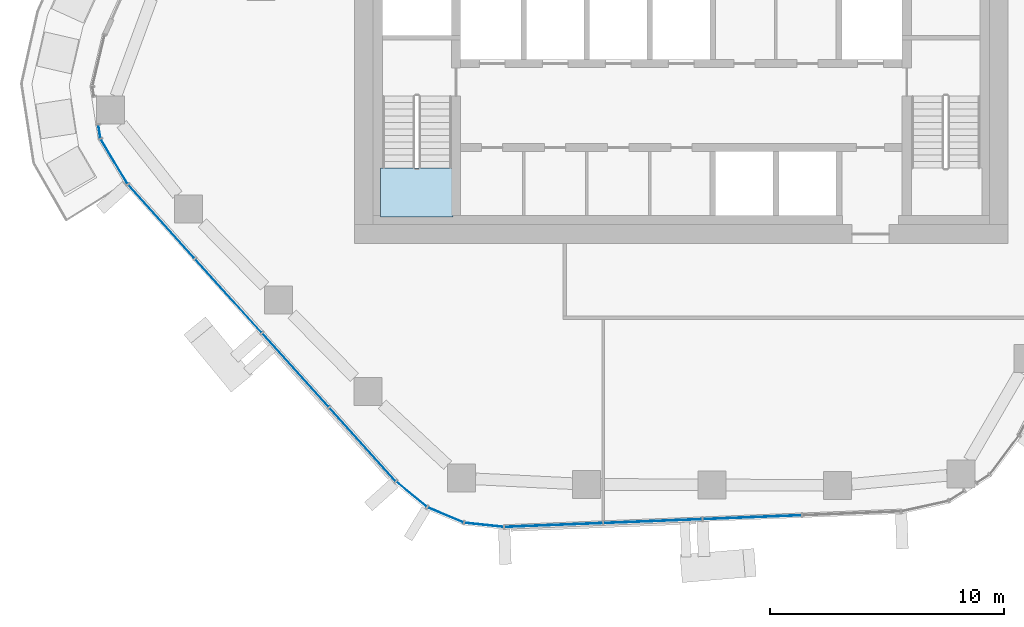
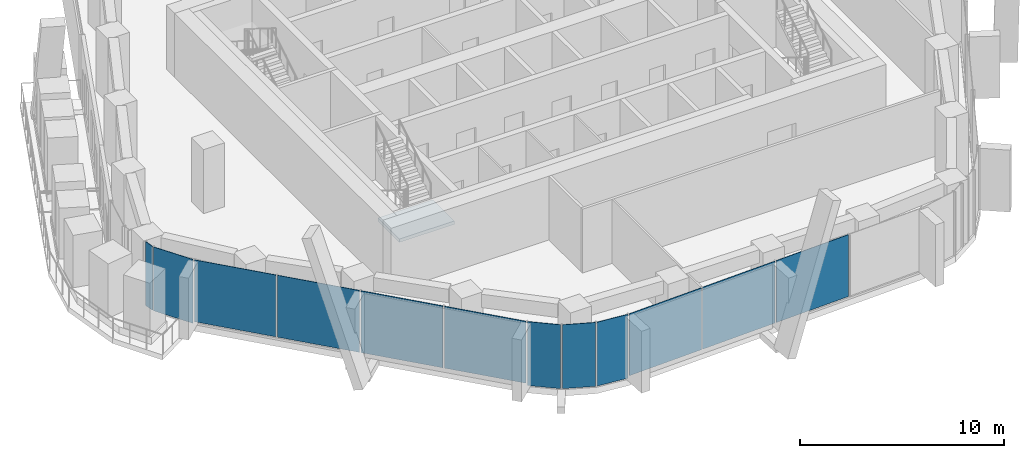
# One storey, part 7 of 19: 12 plates, 1 slab, 5 elements without a shape of their own.
"""IFC4 building model written with IfcOpenShell, lengths in metres."""

from ifc_helpers import new_model, si_unit, direction, frame, origin, origin_2d, place, context, subcontext, project, spatial, polyline, rectangle, outline, extrude, material, layer, layer_set, type_object, element, aggregate, save


model = new_model("IFC4")

# Units and contexts
model_context = context("Model", 3, precision=1e-05, world=origin(), true_north=direction((0.0, 1.0)))
body_context = subcontext(model_context, "Body", "Model", "MODEL_VIEW")
ifc_project = project(units=[si_unit("LENGTHUNIT", "METRE"), si_unit("AREAUNIT", "SQUARE_METRE"), si_unit("VOLUMEUNIT", "CUBIC_METRE"), si_unit("PLANEANGLEUNIT", "RADIAN"), si_unit("MASSUNIT", "GRAM", prefix="KILO")], contexts=[model_context])

# Site, building, storey
site_placement = place(None, origin())
site = spatial("IfcSite", under=ifc_project, at=site_placement, CompositionType="ELEMENT")
building_placement = place(site_placement, origin())
building = spatial("IfcBuilding", under=site, at=building_placement, Name="Dongbaek Canopy Tower", CompositionType="ELEMENT")
storey_placement = place(building_placement, frame((0.0, 0.0, 207.199951171875)))
storey = spatial("IfcBuildingStorey", under=building, at=storey_placement, Name="L43", CompositionType="ELEMENT", Elevation=207.199951171875)

# Curtain wall, plates
ifc_material_1 = material(Name="Aluminium 6063-T6 pale anodised", Category="aluminium")
ifc_layer_1 = layer(ifc_material_1, 0.199951171875)
ifc_layer_set_1 = layer_set([ifc_layer_1], Name="CW-1 unitised tower curtain wall")
curtain_wall_type = type_object("IfcCurtainWallType", Name="CW-1 unitised tower curtain wall", PredefinedType="NOTDEFINED", material=ifc_layer_set_1)
curtain_wall_1_placement = place(storey_placement, origin())
curtain_wall_1 = element("IfcCurtainWall", 1, at=curtain_wall_1_placement, inside=storey, type_object=curtain_wall_type, Name="CW-1 curtain wall K3.1b", PredefinedType="NOTDEFINED")
ifc_material_2 = material(Name="Clear laminated glass", Category="glass")
ifc_layer_2 = layer(ifc_material_2, 0.028076171875)
ifc_layer_set_2 = layer_set([ifc_layer_2], Name="CW-1 glazed panel 28")
plate_type = type_object("IfcPlateType", Name="CW-1 glazed panel 28", PredefinedType="CURTAIN_PANEL", material=ifc_layer_set_2)
plate_1_placement = place(storey_placement, frame((-24.920166015625, -6.219482421875, 0.0), z_axis=(0.0, 0.0, 1.0), x_axis=(0.15271309761, -0.988270565088, 0.0)))
plate_1 = element("IfcPlate", 2, at=plate_1_placement, type_object=plate_type, Name="CW-1 panel K3.1b.1.1", PredefinedType="CURTAIN_PANEL", context=body_context, shape_type="SweptSolid", body=[
    extrude(rectangle(XDim=0.53466796875, YDim=0.028076171875, at=origin_2d()), origin(), (0.0, 0.0, 1.0), 3.820068359375),
])
plate_2_placement = place(storey_placement, frame((-24.2861328125, -7.502685546875, 0.0), z_axis=(0.0, 0.0, 1.0), x_axis=(0.514682794995, -0.857380674226, 0.0)))
plate_2 = element("IfcPlate", 3, at=plate_2_placement, type_object=plate_type, Name="CW-1 panel K3.1b.2.1", PredefinedType="CURTAIN_PANEL", context=body_context, shape_type="SweptSolid", body=[
    extrude(rectangle(XDim=2.196044921875, YDim=0.028076171875, at=origin_2d()), origin(), (0.0, 0.0, 1.0), 3.820068359375),
])
aggregate(curtain_wall_1, [plate_1, plate_2])

curtain_wall_2_placement = place(storey_placement, origin())
curtain_wall_2 = element("IfcCurtainWall", 4, at=curtain_wall_2_placement, inside=storey, type_object=curtain_wall_type, Name="CW-1 curtain wall F3.1", PredefinedType="NOTDEFINED")
plate_3_placement = place(storey_placement, frame((-22.265380859375, -10.068603515625, 0.1201171875), z_axis=(0.0, 0.0, 1.0), x_axis=(0.670067681014, -0.742300008663, 0.0)))
plate_3 = element("IfcPlate", 5, at=plate_3_placement, type_object=plate_type, Name="CW-1 panel F3.1.1.1", PredefinedType="CURTAIN_PANEL", context=body_context, shape_type="SweptSolid", body=[
    extrude(rectangle(XDim=4.195556640625, YDim=0.028076171875, at=origin_2d()), origin(), (0.0, 0.0, 1.0), 3.699951171875),
])
plate_4_placement = place(storey_placement, frame((-19.39453125, -13.2490234375, 0.1201171875), z_axis=(0.0, 0.0, 1.0), x_axis=(0.670067681014, -0.742300008663, 0.0)))
plate_4 = element("IfcPlate", 6, at=plate_4_placement, type_object=plate_type, Name="CW-1 panel F3.1.2.1", PredefinedType="CURTAIN_PANEL", context=body_context, shape_type="SweptSolid", body=[
    extrude(rectangle(XDim=4.205322265625, YDim=0.028076171875, at=origin_2d()), origin(), (0.0, 0.0, 1.0), 3.699951171875),
])
plate_5_placement = place(storey_placement, frame((-16.5205078125, -16.432861328125, 0.1201171875), z_axis=(0.0, 0.0, 1.0), x_axis=(0.670067681014, -0.742300008663, 0.0)))
plate_5 = element("IfcPlate", 7, at=plate_5_placement, type_object=plate_type, Name="CW-1 panel F3.1.3.1", PredefinedType="CURTAIN_PANEL", context=body_context, shape_type="SweptSolid", body=[
    extrude(rectangle(XDim=4.205322265625, YDim=0.028076171875, at=origin_2d()), origin(), (0.0, 0.0, 1.0), 3.699951171875),
])
plate_6_placement = place(storey_placement, frame((-13.648681640625, -19.6142578125, 0.1201171875), z_axis=(0.0, 0.0, 1.0), x_axis=(0.670067681014, -0.742300008663, 0.0)))
plate_6 = element("IfcPlate", 8, at=plate_6_placement, type_object=plate_type, Name="CW-1 panel F3.1.4.1", PredefinedType="CURTAIN_PANEL", context=body_context, shape_type="SweptSolid", body=[
    extrude(rectangle(XDim=4.197998046875, YDim=0.028076171875, at=origin_2d()), origin(), (0.0, 0.0, 1.0), 3.699951171875),
])
aggregate(curtain_wall_2, [plate_3, plate_4, plate_5, plate_6])

curtain_wall_3_placement = place(storey_placement, origin())
curtain_wall_3 = element("IfcCurtainWall", 9, at=curtain_wall_3_placement, inside=storey, type_object=curtain_wall_type, Name="CW-1 curtain wall K4.1", PredefinedType="NOTDEFINED")
plate_7_placement = place(storey_placement, frame((-11.5498046875, -21.752197265625, 0.0), z_axis=(0.0, 0.0, 1.0), x_axis=(0.770906856921, -0.63694789265, 0.0)))
plate_7 = element("IfcPlate", 10, at=plate_7_placement, type_object=plate_type, Name="CW-1 panel K4.1.1.1", PredefinedType="CURTAIN_PANEL", context=body_context, shape_type="SweptSolid", body=[
    extrude(rectangle(XDim=1.639404296875, YDim=0.028076171875, at=origin_2d()), origin(), (0.0, 0.0, 1.0), 3.820068359375),
])
plate_8_placement = place(storey_placement, frame((-10.094970703125, -22.634033203125, 0.0), z_axis=(0.0, 0.0, 1.0), x_axis=(0.921603256524, -0.388133272941, 0.0)))
plate_8 = element("IfcPlate", 11, at=plate_8_placement, type_object=plate_type, Name="CW-1 panel K4.1.2.1", PredefinedType="CURTAIN_PANEL", context=body_context, shape_type="SweptSolid", body=[
    extrude(rectangle(XDim=1.6318359375, YDim=0.028076171875, at=origin_2d()), origin(), (0.0, 0.0, 1.0), 3.820068359375),
])
plate_9_placement = place(storey_placement, frame((-8.447509765625, -23.058837890625, 0.0), z_axis=(0.0, 0.0, 1.0), x_axis=(0.994315321329, -0.106475545413, 0.0)))
plate_9 = element("IfcPlate", 12, at=plate_9_placement, type_object=plate_type, Name="CW-1 panel K4.1.3.1", PredefinedType="CURTAIN_PANEL", context=body_context, shape_type="SweptSolid", body=[
    extrude(rectangle(XDim=1.639404296875, YDim=0.028076171875, at=origin_2d()), origin(), (0.0, 0.0, 1.0), 3.820068359375),
])
aggregate(curtain_wall_3, [plate_7, plate_8, plate_9])

curtain_wall_4_placement = place(storey_placement, origin())
curtain_wall_4 = element("IfcCurtainWall", 13, at=curtain_wall_4_placement, inside=storey, type_object=curtain_wall_type, Name="CW-1 curtain wall F4.1", PredefinedType="NOTDEFINED")
plate_10_placement = place(storey_placement, frame((-5.467041015625, -23.067138671875, 0.1201171875), z_axis=(0.0, 0.0, 1.0), x_axis=(0.999228406114, 0.039275850271, 0.0)))
plate_10 = element("IfcPlate", 14, at=plate_10_placement, type_object=plate_type, Name="CW-1 panel F4.1.1.1", PredefinedType="CURTAIN_PANEL", context=body_context, shape_type="SweptSolid", body=[
    extrude(rectangle(XDim=4.166259765625, YDim=0.028076171875, at=origin_2d()), origin(), (0.0, 0.0, 1.0), 3.699951171875),
])
plate_11_placement = place(storey_placement, frame((-1.216552734375, -22.900146484375, 0.1201171875), z_axis=(0.0, 0.0, 1.0), x_axis=(0.999228406114, 0.039275850271, 0.0)))
plate_11 = element("IfcPlate", 15, at=plate_11_placement, type_object=plate_type, Name="CW-1 panel F4.1.2.1", PredefinedType="CURTAIN_PANEL", context=body_context, shape_type="SweptSolid", body=[
    extrude(rectangle(XDim=4.173583984375, YDim=0.028076171875, at=origin_2d()), origin(), (0.0, 0.0, 1.0), 3.699951171875),
])
plate_12_placement = place(storey_placement, frame((3.037841796875, -22.73291015625, 0.1201171875), z_axis=(0.0, 0.0, 1.0), x_axis=(0.999228406114, 0.039275850271, 0.0)))
plate_12 = element("IfcPlate", 16, at=plate_12_placement, type_object=plate_type, Name="CW-1 panel F4.1.3.1", PredefinedType="CURTAIN_PANEL", context=body_context, shape_type="SweptSolid", body=[
    extrude(rectangle(XDim=4.173583984375, YDim=0.028076171875, at=origin_2d()), origin(), (0.0, 0.0, 1.0), 3.699951171875),
])
aggregate(curtain_wall_4, [plate_10, plate_11, plate_12])

# Stair, slab
ifc_material_3 = material(Name="Concrete C40/50", Category="concrete")
stair_type = type_object("IfcStairType", Name="Core exit stair", PredefinedType="HALF_TURN_STAIR", material=ifc_material_3)
stair_placement = place(storey_placement, origin())
stair = element("IfcStair", 17, at=stair_placement, inside=storey, type_object=stair_type, Name="L43 exit stair D", PredefinedType="HALF_TURN_STAIR")
ifc_material_4 = material(Name="Concrete C40/50", Category="concrete")
ifc_layer_3 = layer(ifc_material_4, 0.199951171875)
ifc_layer_set_3 = layer_set([ifc_layer_3], Name="Core stair landing 200")
slab_type = type_object("IfcSlabType", Name="Core stair landing 200", PredefinedType="LANDING", material=ifc_layer_set_3)
slab_placement = place(storey_placement, frame((0.0, 0.0, 1.900146484375)))
slab = element("IfcSlab", 18, at=slab_placement, type_object=slab_type, Name="ST-D landing 1", PredefinedType="LANDING", context=body_context, shape_type="SweptSolid", body=[
    extrude(outline(polyline([(-12.875, -7.780029296875), (-12.875, -9.875), (-9.77490234375, -9.875), (-9.77490234375, -7.780029296875), (-12.875, -7.780029296875)])), origin(), (0.0, 0.0, 1.0), 0.199951171875),
])
aggregate(stair, [slab])

save(model, "model.ifc")
